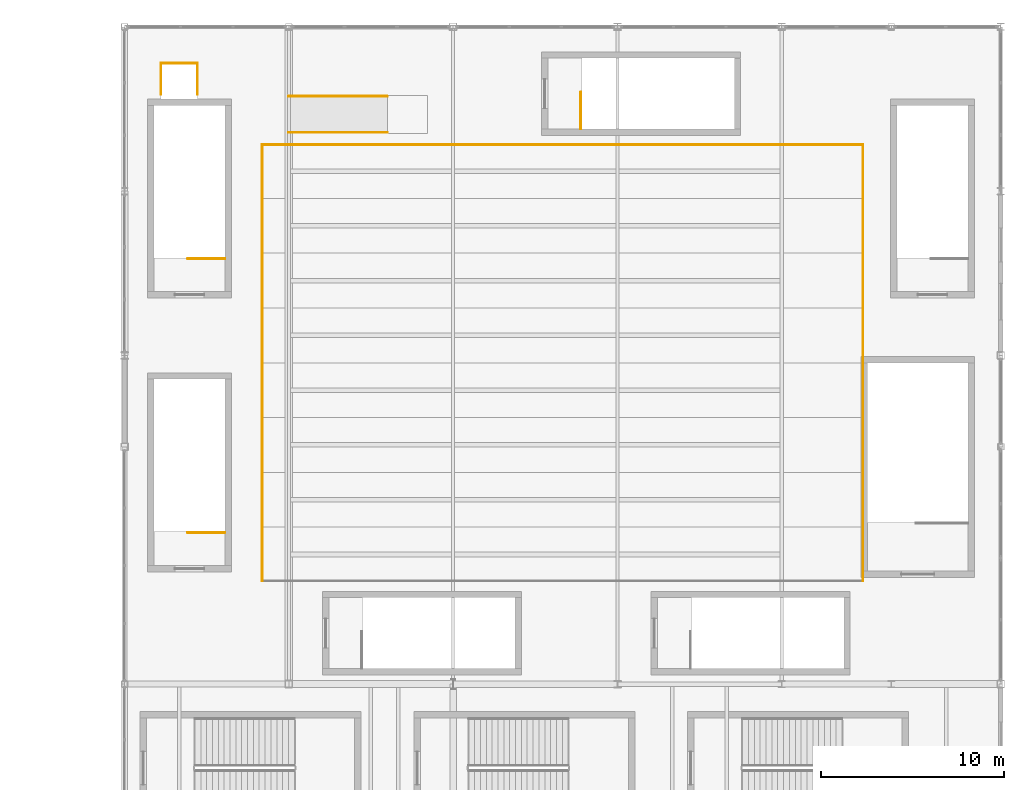
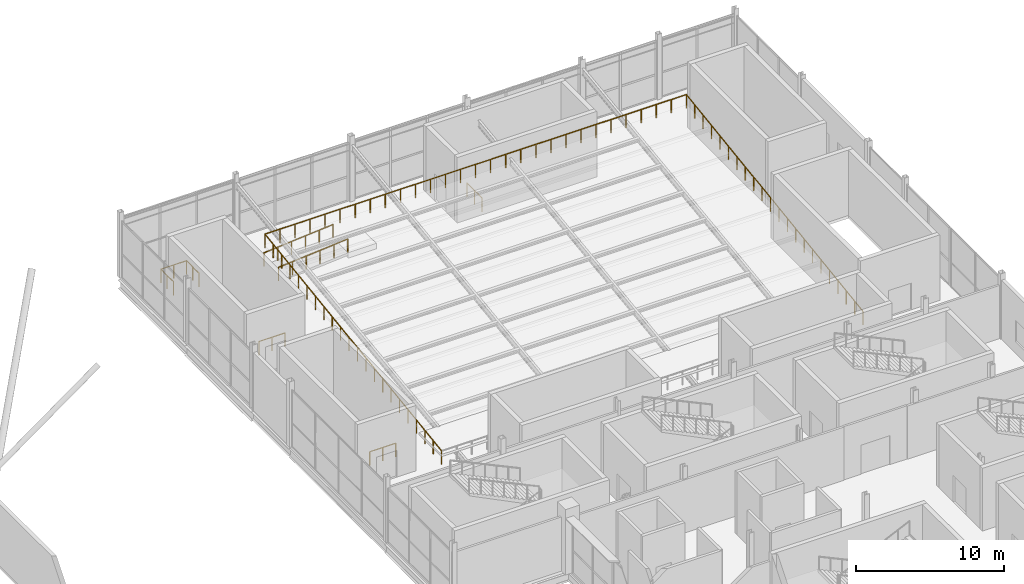
# One storey, part 117 of 119: 11 railings.
"""IFC4 building model written with IfcOpenShell, lengths in metres."""

from ifc_helpers import new_model, si_unit, direction, frame, origin, origin_2d, place, context, subcontext, project, spatial, circle, extrude, material, type_object, element, save


model = new_model("IFC4")

# Units and contexts
model_context = context("Model", 3, precision=1e-05, world=origin(), true_north=direction((0.0, 1.0)))
body_context = subcontext(model_context, "Body", "Model", "MODEL_VIEW")
ifc_project = project(units=[si_unit("LENGTHUNIT", "METRE"), si_unit("AREAUNIT", "SQUARE_METRE"), si_unit("VOLUMEUNIT", "CUBIC_METRE"), si_unit("PLANEANGLEUNIT", "RADIAN"), si_unit("MASSUNIT", "GRAM", prefix="KILO")], contexts=[model_context])

# Site, building, storey
site_placement = place(None, origin())
site = spatial("IfcSite", under=ifc_project, at=site_placement, CompositionType="ELEMENT")
building_placement = place(site_placement, origin())
building = spatial("IfcBuilding", under=site, at=building_placement, Name="Qamarlyn Nura Convention Centre", CompositionType="ELEMENT")
storey_placement = place(building_placement, frame((0.0, 0.0, 5.39990234375)))
storey = spatial("IfcBuildingStorey", under=building, at=storey_placement, Name="L01", CompositionType="ELEMENT", Elevation=5.39990234375)

# Railings
ifc_material = material(Name="Marine Grade 316 stainless steel", Category="steel")
railing_type_1 = type_object("IfcRailingType", Name="GRD-STAIR-112", PredefinedType="BALUSTRADE", material=ifc_material)
for number, where, name in (
    (1, (149.5, 98.300048828125, 0.0), "L01 ST-VOM1 top well guard 1"),
    (2, (149.5, 113.300048828125, 0.0), "L01 ST-VOM2 top well guard 1"),
):
    element("IfcRailing", number, at=place(storey_placement, frame(where)), inside=storey, type_object=railing_type_1, Name=name, PredefinedType="BALUSTRADE", context=body_context, shape_type="SweptSolid", body=[
        extrude(circle(Radius=0.02392578125, at=origin_2d()), frame((0.0, 0.0, 1.09619140625), z_axis=(-1.0, 0.0, 0.0), x_axis=(0.0, -1.0, 0.0)), (0.0, 0.0, 1.0), 2.030029296875),
        extrude(circle(Radius=0.02099609375, at=origin_2d()), origin(), (0.0, 0.0, 1.0), 1.070068359375),
        extrude(circle(Radius=0.02099609375, at=origin_2d()), frame((-1.01513671875, 0.0, 0.0)), (0.0, 0.0, 1.0), 1.070068359375),
        extrude(circle(Radius=0.02099609375, at=origin_2d()), frame((-2.030029296875, 0.0, 0.0)), (0.0, 0.0, 1.0), 1.070068359375),
    ])
railing_1_placement = place(storey_placement, frame((169.0, 120.39990234375, 0.0)))
element("IfcRailing", 3, at=railing_1_placement, inside=storey, type_object=railing_type_1, Name="L01 ST-VOM5 top well guard 1", PredefinedType="BALUSTRADE", context=body_context, shape_type="SweptSolid", body=[
    extrude(circle(Radius=0.02392578125, at=origin_2d()), frame((0.0, 0.0, 1.09619140625), z_axis=(0.0, 1.0, 0.0), x_axis=(-1.0, 0.0, 0.0)), (0.0, 0.0, 1.0), 2.030029296875),
    extrude(circle(Radius=0.02099609375, at=origin_2d()), origin(), (0.0, 0.0, 1.0), 1.070068359375),
    extrude(circle(Radius=0.02099609375, at=origin_2d()), frame((0.0, 1.01513671875, 0.0)), (0.0, 0.0, 1.0), 1.070068359375),
    extrude(circle(Radius=0.02099609375, at=origin_2d()), frame((0.0, 2.030029296875, 0.0)), (0.0, 0.0, 1.0), 1.070068359375),
])
for number, where, name in (
    (4, (153.0, 122.18994140625, 0.0), "Plenary stage accessible ramp PR-05 side guard L"),
    (5, (153.0, 120.2099609375, 0.0), "Plenary stage accessible ramp PR-05 side guard R"),
):
    element("IfcRailing", number, at=place(storey_placement, frame(where)), inside=storey, type_object=railing_type_1, Name=name, PredefinedType="BALUSTRADE", context=body_context, shape_type="SweptSolid", body=[
        extrude(circle(Radius=0.02392578125, at=origin_2d()), frame((0.0, 0.0, 1.09619140625), z_axis=(0.996542650256, 0.0, 0.083082767297), x_axis=(0.0, 1.0, 0.0)), (0.0, 0.0, 1.0), 5.418701171875),
        extrude(circle(Radius=0.02099609375, at=origin_2d()), origin(), (0.0, 0.0, 1.0), 1.070068359375),
        extrude(circle(Radius=0.02099609375, at=origin_2d()), frame((1.080078125, 0.0, 0.090087890625)), (0.0, 0.0, 1.0), 1.070068359375),
        extrude(circle(Radius=0.02099609375, at=origin_2d()), frame((2.159912109375, 0.0, 0.18017578125)), (0.0, 0.0, 1.0), 1.070068359375),
        extrude(circle(Radius=0.02099609375, at=origin_2d()), frame((3.239990234375, 0.0, 0.27001953125)), (0.0, 0.0, 1.0), 1.070068359375),
        extrude(circle(Radius=0.02099609375, at=origin_2d()), frame((4.31982421875, 0.0, 0.360107421875)), (0.0, 0.0, 1.0), 1.070068359375),
        extrude(circle(Radius=0.02099609375, at=origin_2d()), frame((5.39990234375, 0.0, 0.4501953125)), (0.0, 0.0, 1.0), 1.070068359375),
    ])
railing_type_2 = type_object("IfcRailingType", Name="GRD-VOID-112", PredefinedType="BALUSTRADE", material=ifc_material)
railing_2_placement = place(storey_placement, frame((151.550048828125, 119.550048828125, 3.650146484375)))
element("IfcRailing", 6, at=railing_2_placement, inside=storey, type_object=railing_type_2, Name="Plenary stand top rear guard", PredefinedType="BALUSTRADE", context=body_context, shape_type="SweptSolid", body=[
    extrude(circle(Radius=0.02392578125, at=origin_2d()), frame((0.0, 0.0, 1.09619140625), z_axis=(1.0, 0.0, 0.0), x_axis=(0.0, 1.0, 0.0)), (0.0, 0.0, 1.0), 32.89990234375),
    extrude(circle(Radius=0.02099609375, at=origin_2d()), origin(), (0.0, 0.0, 1.0), 1.070068359375),
    extrude(circle(Radius=0.02099609375, at=origin_2d()), frame((1.175048828125, 0.0, 0.0)), (0.0, 0.0, 1.0), 1.070068359375),
    extrude(circle(Radius=0.02099609375, at=origin_2d()), frame((2.35009765625, 0.0, 0.0)), (0.0, 0.0, 1.0), 1.070068359375),
    extrude(circle(Radius=0.02099609375, at=origin_2d()), frame((3.52490234375, 0.0, 0.0)), (0.0, 0.0, 1.0), 1.070068359375),
    extrude(circle(Radius=0.02099609375, at=origin_2d()), frame((4.699951171875, 0.0, 0.0)), (0.0, 0.0, 1.0), 1.070068359375),
    extrude(circle(Radius=0.02099609375, at=origin_2d()), frame((5.875, 0.0, 0.0)), (0.0, 0.0, 1.0), 1.070068359375),
    extrude(circle(Radius=0.02099609375, at=origin_2d()), frame((7.050048828125, 0.0, 0.0)), (0.0, 0.0, 1.0), 1.070068359375),
    extrude(circle(Radius=0.02099609375, at=origin_2d()), frame((8.22509765625, 0.0, 0.0)), (0.0, 0.0, 1.0), 1.070068359375),
    extrude(circle(Radius=0.02099609375, at=origin_2d()), frame((9.39990234375, 0.0, 0.0)), (0.0, 0.0, 1.0), 1.070068359375),
    extrude(circle(Radius=0.02099609375, at=origin_2d()), frame((10.574951171875, 0.0, 0.0)), (0.0, 0.0, 1.0), 1.070068359375),
    extrude(circle(Radius=0.02099609375, at=origin_2d()), frame((11.75, 0.0, 0.0)), (0.0, 0.0, 1.0), 1.070068359375),
    extrude(circle(Radius=0.02099609375, at=origin_2d()), frame((12.925048828125, 0.0, 0.0)), (0.0, 0.0, 1.0), 1.070068359375),
    extrude(circle(Radius=0.02099609375, at=origin_2d()), frame((14.099853515625, 0.0, 0.0)), (0.0, 0.0, 1.0), 1.070068359375),
    extrude(circle(Radius=0.02099609375, at=origin_2d()), frame((15.27490234375, 0.0, 0.0)), (0.0, 0.0, 1.0), 1.070068359375),
    extrude(circle(Radius=0.02099609375, at=origin_2d()), frame((16.449951171875, 0.0, 0.0)), (0.0, 0.0, 1.0), 1.070068359375),
    extrude(circle(Radius=0.02099609375, at=origin_2d()), frame((17.625, 0.0, 0.0)), (0.0, 0.0, 1.0), 1.070068359375),
    extrude(circle(Radius=0.02099609375, at=origin_2d()), frame((18.800048828125, 0.0, 0.0)), (0.0, 0.0, 1.0), 1.070068359375),
    extrude(circle(Radius=0.02099609375, at=origin_2d()), frame((19.974853515625, 0.0, 0.0)), (0.0, 0.0, 1.0), 1.070068359375),
    extrude(circle(Radius=0.02099609375, at=origin_2d()), frame((21.14990234375, 0.0, 0.0)), (0.0, 0.0, 1.0), 1.070068359375),
    extrude(circle(Radius=0.02099609375, at=origin_2d()), frame((22.324951171875, 0.0, 0.0)), (0.0, 0.0, 1.0), 1.070068359375),
    extrude(circle(Radius=0.02099609375, at=origin_2d()), frame((23.5, 0.0, 0.0)), (0.0, 0.0, 1.0), 1.070068359375),
    extrude(circle(Radius=0.02099609375, at=origin_2d()), frame((24.6748046875, 0.0, 0.0)), (0.0, 0.0, 1.0), 1.070068359375),
    extrude(circle(Radius=0.02099609375, at=origin_2d()), frame((25.849853515625, 0.0, 0.0)), (0.0, 0.0, 1.0), 1.070068359375),
    extrude(circle(Radius=0.02099609375, at=origin_2d()), frame((27.02490234375, 0.0, 0.0)), (0.0, 0.0, 1.0), 1.070068359375),
    extrude(circle(Radius=0.02099609375, at=origin_2d()), frame((28.199951171875, 0.0, 0.0)), (0.0, 0.0, 1.0), 1.070068359375),
    extrude(circle(Radius=0.02099609375, at=origin_2d()), frame((29.375, 0.0, 0.0)), (0.0, 0.0, 1.0), 1.070068359375),
    extrude(circle(Radius=0.02099609375, at=origin_2d()), frame((30.5498046875, 0.0, 0.0)), (0.0, 0.0, 1.0), 1.070068359375),
    extrude(circle(Radius=0.02099609375, at=origin_2d()), frame((31.724853515625, 0.0, 0.0)), (0.0, 0.0, 1.0), 1.070068359375),
    extrude(circle(Radius=0.02099609375, at=origin_2d()), frame((32.89990234375, 0.0, 0.0)), (0.0, 0.0, 1.0), 1.070068359375),
])
railing_3_placement = place(storey_placement, frame((151.550048828125, 95.64990234375, 0.25)))
element("IfcRailing", 7, at=railing_3_placement, inside=storey, type_object=railing_type_2, Name="Plenary stand side stepped guard W", PredefinedType="BALUSTRADE", context=body_context, shape_type="SweptSolid", body=[
    extrude(circle(Radius=0.02392578125, at=origin_2d()), frame((0.0, 0.0, 1.09619140625), z_axis=(0.0, 0.990031445928, 0.140846498263), x_axis=(-1.0, 0.0, 0.0)), (0.0, 0.0, 1.0), 24.140869140625),
    extrude(circle(Radius=0.02099609375, at=origin_2d()), origin(), (0.0, 0.0, 1.0), 1.070068359375),
    extrude(circle(Radius=0.02099609375, at=origin_2d()), frame((0.0, 1.13818359375, 0.161865234375)), (0.0, 0.0, 1.0), 1.070068359375),
    extrude(circle(Radius=0.02099609375, at=origin_2d()), frame((0.0, 2.276123046875, 0.32373046875)), (0.0, 0.0, 1.0), 1.070068359375),
    extrude(circle(Radius=0.02099609375, at=origin_2d()), frame((0.0, 3.414306640625, 0.48583984375)), (0.0, 0.0, 1.0), 1.070068359375),
    extrude(circle(Radius=0.02099609375, at=origin_2d()), frame((0.0, 4.552490234375, 0.647705078125)), (0.0, 0.0, 1.0), 1.070068359375),
    extrude(circle(Radius=0.02099609375, at=origin_2d()), frame((0.0, 5.6904296875, 0.8095703125)), (0.0, 0.0, 1.0), 1.070068359375),
    extrude(circle(Radius=0.02099609375, at=origin_2d()), frame((0.0, 6.82861328125, 0.971435546875)), (0.0, 0.0, 1.0), 1.070068359375),
    extrude(circle(Radius=0.02099609375, at=origin_2d()), frame((0.0, 7.966796875, 1.13330078125)), (0.0, 0.0, 1.0), 1.070068359375),
    extrude(circle(Radius=0.02099609375, at=origin_2d()), frame((0.0, 9.104736328125, 1.29541015625)), (0.0, 0.0, 1.0), 1.070068359375),
    extrude(circle(Radius=0.02099609375, at=origin_2d()), frame((0.0, 10.242919921875, 1.457275390625)), (0.0, 0.0, 1.0), 1.070068359375),
    extrude(circle(Radius=0.02099609375, at=origin_2d()), frame((0.0, 11.381103515625, 1.619140625)), (0.0, 0.0, 1.0), 1.070068359375),
    extrude(circle(Radius=0.02099609375, at=origin_2d()), frame((0.0, 12.51904296875, 1.781005859375)), (0.0, 0.0, 1.0), 1.070068359375),
    extrude(circle(Radius=0.02099609375, at=origin_2d()), frame((0.0, 13.6572265625, 1.94287109375)), (0.0, 0.0, 1.0), 1.070068359375),
    extrude(circle(Radius=0.02099609375, at=origin_2d()), frame((0.0, 14.79541015625, 2.104736328125)), (0.0, 0.0, 1.0), 1.070068359375),
    extrude(circle(Radius=0.02099609375, at=origin_2d()), frame((0.0, 15.933349609375, 2.266845703125)), (0.0, 0.0, 1.0), 1.070068359375),
    extrude(circle(Radius=0.02099609375, at=origin_2d()), frame((0.0, 17.071533203125, 2.4287109375)), (0.0, 0.0, 1.0), 1.070068359375),
    extrude(circle(Radius=0.02099609375, at=origin_2d()), frame((0.0, 18.209716796875, 2.590576171875)), (0.0, 0.0, 1.0), 1.070068359375),
    extrude(circle(Radius=0.02099609375, at=origin_2d()), frame((0.0, 19.34765625, 2.75244140625)), (0.0, 0.0, 1.0), 1.070068359375),
    extrude(circle(Radius=0.02099609375, at=origin_2d()), frame((0.0, 20.48583984375, 2.914306640625)), (0.0, 0.0, 1.0), 1.070068359375),
    extrude(circle(Radius=0.02099609375, at=origin_2d()), frame((0.0, 21.6240234375, 3.076416015625)), (0.0, 0.0, 1.0), 1.070068359375),
    extrude(circle(Radius=0.02099609375, at=origin_2d()), frame((0.0, 22.761962890625, 3.23828125)), (0.0, 0.0, 1.0), 1.070068359375),
    extrude(circle(Radius=0.02099609375, at=origin_2d()), frame((0.0, 23.900146484375, 3.400146484375)), (0.0, 0.0, 1.0), 1.070068359375),
])
railing_4_placement = place(storey_placement, frame((184.449951171875, 95.64990234375, 0.25)))
element("IfcRailing", 8, at=railing_4_placement, inside=storey, type_object=railing_type_2, Name="Plenary stand side stepped guard E", PredefinedType="BALUSTRADE", context=body_context, shape_type="SweptSolid", body=[
    extrude(circle(Radius=0.02392578125, at=origin_2d()), frame((0.0, 0.0, 1.09619140625), z_axis=(0.0, 0.990031445928, 0.140846498263), x_axis=(-1.0, 0.0, 0.0)), (0.0, 0.0, 1.0), 24.140869140625),
    extrude(circle(Radius=0.02099609375, at=origin_2d()), origin(), (0.0, 0.0, 1.0), 1.070068359375),
    extrude(circle(Radius=0.02099609375, at=origin_2d()), frame((0.0, 1.13818359375, 0.161865234375)), (0.0, 0.0, 1.0), 1.070068359375),
    extrude(circle(Radius=0.02099609375, at=origin_2d()), frame((0.0, 2.276123046875, 0.32373046875)), (0.0, 0.0, 1.0), 1.070068359375),
    extrude(circle(Radius=0.02099609375, at=origin_2d()), frame((0.0, 3.414306640625, 0.48583984375)), (0.0, 0.0, 1.0), 1.070068359375),
    extrude(circle(Radius=0.02099609375, at=origin_2d()), frame((0.0, 4.552490234375, 0.647705078125)), (0.0, 0.0, 1.0), 1.070068359375),
    extrude(circle(Radius=0.02099609375, at=origin_2d()), frame((0.0, 5.6904296875, 0.8095703125)), (0.0, 0.0, 1.0), 1.070068359375),
    extrude(circle(Radius=0.02099609375, at=origin_2d()), frame((0.0, 6.82861328125, 0.971435546875)), (0.0, 0.0, 1.0), 1.070068359375),
    extrude(circle(Radius=0.02099609375, at=origin_2d()), frame((0.0, 7.966796875, 1.13330078125)), (0.0, 0.0, 1.0), 1.070068359375),
    extrude(circle(Radius=0.02099609375, at=origin_2d()), frame((0.0, 9.104736328125, 1.29541015625)), (0.0, 0.0, 1.0), 1.070068359375),
    extrude(circle(Radius=0.02099609375, at=origin_2d()), frame((0.0, 10.242919921875, 1.457275390625)), (0.0, 0.0, 1.0), 1.070068359375),
    extrude(circle(Radius=0.02099609375, at=origin_2d()), frame((0.0, 11.381103515625, 1.619140625)), (0.0, 0.0, 1.0), 1.070068359375),
    extrude(circle(Radius=0.02099609375, at=origin_2d()), frame((0.0, 12.51904296875, 1.781005859375)), (0.0, 0.0, 1.0), 1.070068359375),
    extrude(circle(Radius=0.02099609375, at=origin_2d()), frame((0.0, 13.6572265625, 1.94287109375)), (0.0, 0.0, 1.0), 1.070068359375),
    extrude(circle(Radius=0.02099609375, at=origin_2d()), frame((0.0, 14.79541015625, 2.104736328125)), (0.0, 0.0, 1.0), 1.070068359375),
    extrude(circle(Radius=0.02099609375, at=origin_2d()), frame((0.0, 15.933349609375, 2.266845703125)), (0.0, 0.0, 1.0), 1.070068359375),
    extrude(circle(Radius=0.02099609375, at=origin_2d()), frame((0.0, 17.071533203125, 2.4287109375)), (0.0, 0.0, 1.0), 1.070068359375),
    extrude(circle(Radius=0.02099609375, at=origin_2d()), frame((0.0, 18.209716796875, 2.590576171875)), (0.0, 0.0, 1.0), 1.070068359375),
    extrude(circle(Radius=0.02099609375, at=origin_2d()), frame((0.0, 19.34765625, 2.75244140625)), (0.0, 0.0, 1.0), 1.070068359375),
    extrude(circle(Radius=0.02099609375, at=origin_2d()), frame((0.0, 20.48583984375, 2.914306640625)), (0.0, 0.0, 1.0), 1.070068359375),
    extrude(circle(Radius=0.02099609375, at=origin_2d()), frame((0.0, 21.6240234375, 3.076416015625)), (0.0, 0.0, 1.0), 1.070068359375),
    extrude(circle(Radius=0.02099609375, at=origin_2d()), frame((0.0, 22.761962890625, 3.23828125)), (0.0, 0.0, 1.0), 1.070068359375),
    extrude(circle(Radius=0.02099609375, at=origin_2d()), frame((0.0, 23.900146484375, 3.400146484375)), (0.0, 0.0, 1.0), 1.070068359375),
])
railing_5_placement = place(storey_placement, frame((146.0, 124.0, 0.0)))
element("IfcRailing", 9, at=railing_5_placement, inside=storey, type_object=railing_type_2, Name="L01 slab edge balustrade guard 048", PredefinedType="BALUSTRADE", context=body_context, shape_type="SweptSolid", body=[
    extrude(circle(Radius=0.02392578125, at=origin_2d()), frame((0.0, 0.0, 1.09619140625), z_axis=(0.0, -1.0, 0.0), x_axis=(1.0, 0.0, 0.0)), (0.0, 0.0, 1.0), 1.699951171875),
    extrude(circle(Radius=0.02099609375, at=origin_2d()), origin(), (0.0, 0.0, 1.0), 1.070068359375),
    extrude(circle(Radius=0.02099609375, at=origin_2d()), frame((0.0, -0.85009765625, 0.0)), (0.0, 0.0, 1.0), 1.070068359375),
    extrude(circle(Radius=0.02099609375, at=origin_2d()), frame((0.0, -1.699951171875, 0.0)), (0.0, 0.0, 1.0), 1.070068359375),
])
railing_6_placement = place(storey_placement, frame((148.0, 122.300048828125, 0.0)))
element("IfcRailing", 10, at=railing_6_placement, inside=storey, type_object=railing_type_2, Name="L01 slab edge balustrade guard 049", PredefinedType="BALUSTRADE", context=body_context, shape_type="SweptSolid", body=[
    extrude(circle(Radius=0.02392578125, at=origin_2d()), frame((0.0, 0.0, 1.09619140625), z_axis=(0.0, 1.0, 0.0), x_axis=(-1.0, 0.0, 0.0)), (0.0, 0.0, 1.0), 1.699951171875),
    extrude(circle(Radius=0.02099609375, at=origin_2d()), origin(), (0.0, 0.0, 1.0), 1.070068359375),
    extrude(circle(Radius=0.02099609375, at=origin_2d()), frame((0.0, 0.85009765625, 0.0)), (0.0, 0.0, 1.0), 1.070068359375),
    extrude(circle(Radius=0.02099609375, at=origin_2d()), frame((0.0, 1.699951171875, 0.0)), (0.0, 0.0, 1.0), 1.070068359375),
])
railing_7_placement = place(storey_placement, frame((148.0, 124.0, 0.0)))
element("IfcRailing", 11, at=railing_7_placement, inside=storey, type_object=railing_type_2, Name="L01 slab edge balustrade guard 050", PredefinedType="BALUSTRADE", context=body_context, shape_type="SweptSolid", body=[
    extrude(circle(Radius=0.02392578125, at=origin_2d()), frame((0.0, 0.0, 1.09619140625), z_axis=(-1.0, 0.0, 0.0), x_axis=(0.0, -1.0, 0.0)), (0.0, 0.0, 1.0), 2.0),
    extrude(circle(Radius=0.02099609375, at=origin_2d()), origin(), (0.0, 0.0, 1.0), 1.070068359375),
    extrude(circle(Radius=0.02099609375, at=origin_2d()), frame((-1.0, 0.0, 0.0)), (0.0, 0.0, 1.0), 1.070068359375),
    extrude(circle(Radius=0.02099609375, at=origin_2d()), frame((-2.0, 0.0, 0.0)), (0.0, 0.0, 1.0), 1.070068359375),
])

save(model, "model.ifc")
